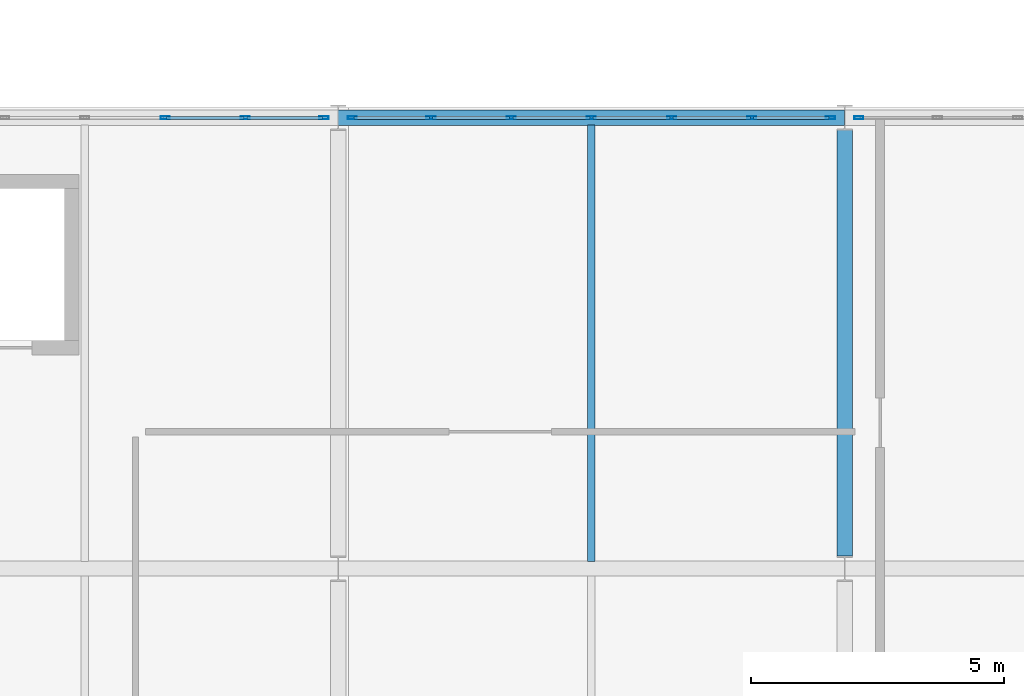
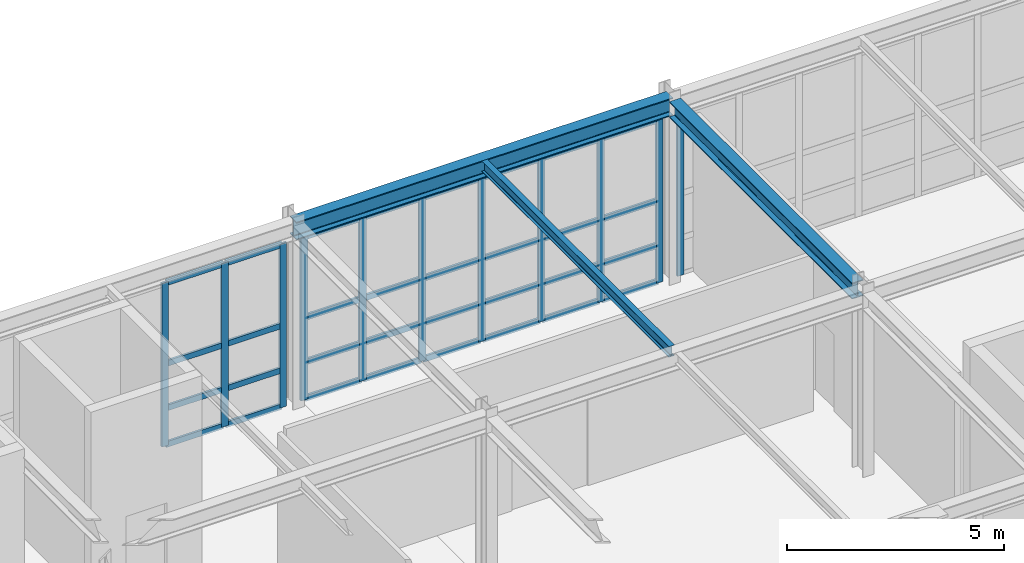
# One storey, part 105 of 210: 43 members, 3 beams, 3 elements without a shape of their own.
"""IFC4 building model written with IfcOpenShell, lengths in metres."""

from ifc_helpers import new_model, si_unit, direction, frame, origin, origin_2d, place, context, subcontext, project, spatial, hollow_rectangle, i_section, extrude, material, material_profile, profile_set, type_object, element, aggregate, save


model = new_model("IFC4")

# Units and contexts
model_context = context("Model", 3, precision=1e-05, world=origin(), true_north=direction((0.0, 1.0)))
body_context = subcontext(model_context, "Body", "Model", "MODEL_VIEW")
ifc_project = project(units=[si_unit("LENGTHUNIT", "METRE"), si_unit("AREAUNIT", "SQUARE_METRE"), si_unit("VOLUMEUNIT", "CUBIC_METRE"), si_unit("PLANEANGLEUNIT", "RADIAN"), si_unit("MASSUNIT", "GRAM", prefix="KILO")], contexts=[model_context])

# Site, building, storey
site_placement = place(None, origin())
site = spatial("IfcSite", under=ifc_project, at=site_placement, CompositionType="ELEMENT")
building_placement = place(site_placement, origin())
building = spatial("IfcBuilding", under=site, at=building_placement, Name="Kaldris Quays Convention Centre", CompositionType="ELEMENT")
storey_placement = place(building_placement, frame((0.0, 0.0, 6.0)))
storey = spatial("IfcBuildingStorey", under=building, at=storey_placement, Name="L01", CompositionType="ELEMENT", Elevation=6.0)

# Curtain wall, members
ifc_material_1 = material(Name="Anodized aluminium AW-6060 and triple glazing", Category="aluminium")
curtain_wall_type = type_object("IfcCurtainWallType", Name="UNITISED CURTAIN WALL CW02", PredefinedType="NOTDEFINED", material=ifc_material_1)
curtain_wall_1_placement = place(storey_placement, origin())
curtain_wall_1 = element("IfcCurtainWall", 1, at=curtain_wall_1_placement, inside=storey, type_object=curtain_wall_type, Name="L01 Unitised Curtain Wall CW02 190", PredefinedType="NOTDEFINED")
ifc_material_2 = material(Name="Anodized aluminium AW-6060", Category="aluminium")
ifc_material_profile_1 = material_profile(ifc_material_2, hollow_rectangle(XDim=0.06005859375, YDim=0.179931640625, WallThickness=0.0048828125, at=origin_2d()), Name="RHS 180x60x5")
ifc_profile_set_1 = profile_set([ifc_material_profile_1], Name="Anodized aluminium AW-6060")
member_type_1 = type_object("IfcMemberType", Name="CURTAIN MULLION CWM2", PredefinedType="MULLION", material=ifc_profile_set_1)
member_1_placement = place(storey_placement, frame((180.583251953125, 37.39990234375, 0.0), z_axis=(0.0, 0.0, 1.0), x_axis=(0.0, 1.0, 0.0)))
member_1 = element("IfcMember", 2, at=member_1_placement, type_object=member_type_1, Name="CW02 mullion 5", PredefinedType="MULLION", context=body_context, shape_type="SweptSolid", body=[
    extrude(hollow_rectangle(XDim=0.06005859375, YDim=0.179931640625, WallThickness=0.0048828125, at=origin_2d()), origin(), (0.0, 0.0, 1.0), 4.60009765625),
])
member_2_placement = place(storey_placement, frame((182.166748046875, 37.39990234375, 0.0), z_axis=(0.0, 0.0, 1.0), x_axis=(0.0, 1.0, 0.0)))
member_2 = element("IfcMember", 3, at=member_2_placement, type_object=member_type_1, Name="CW02 mullion 6", PredefinedType="MULLION", context=body_context, shape_type="SweptSolid", body=[
    extrude(hollow_rectangle(XDim=0.06005859375, YDim=0.179931640625, WallThickness=0.0048828125, at=origin_2d()), origin(), (0.0, 0.0, 1.0), 4.60009765625),
])
member_3_placement = place(storey_placement, frame((183.719970703125, 37.39990234375, 0.0), z_axis=(0.0, 0.0, 1.0), x_axis=(0.0, 1.0, 0.0)))
member_3 = element("IfcMember", 4, at=member_3_placement, type_object=member_type_1, Name="CW02 mullion 7", PredefinedType="MULLION", context=body_context, shape_type="SweptSolid", body=[
    extrude(hollow_rectangle(XDim=0.06005859375, YDim=0.179931640625, WallThickness=0.0048828125, at=origin_2d()), origin(), (0.0, 0.0, 1.0), 4.60009765625),
])

curtain_wall_2_placement = place(storey_placement, origin())
curtain_wall_2 = element("IfcCurtainWall", 5, at=curtain_wall_2_placement, inside=storey, type_object=curtain_wall_type, Name="L01 Unitised Curtain Wall CW02 192", PredefinedType="NOTDEFINED")
member_4_placement = place(storey_placement, frame((184.280029296875, 37.39990234375, 0.0), z_axis=(0.0, 0.0, 1.0), x_axis=(0.0, 1.0, 0.0)))
member_4 = element("IfcMember", 6, at=member_4_placement, type_object=member_type_1, Name="CW02 mullion 1", PredefinedType="MULLION", context=body_context, shape_type="SweptSolid", body=[
    extrude(hollow_rectangle(XDim=0.06005859375, YDim=0.179931640625, WallThickness=0.0048828125, at=origin_2d()), origin(), (0.0, 0.0, 1.0), 4.60009765625),
])
member_5_placement = place(storey_placement, frame((185.833251953125, 37.39990234375, 0.0), z_axis=(0.0, 0.0, 1.0), x_axis=(0.0, 1.0, 0.0)))
member_5 = element("IfcMember", 7, at=member_5_placement, type_object=member_type_1, Name="CW02 mullion 2", PredefinedType="MULLION", context=body_context, shape_type="SweptSolid", body=[
    extrude(hollow_rectangle(XDim=0.06005859375, YDim=0.179931640625, WallThickness=0.0048828125, at=origin_2d()), origin(), (0.0, 0.0, 1.0), 4.60009765625),
])
member_6_placement = place(storey_placement, frame((187.416748046875, 37.39990234375, 0.0), z_axis=(0.0, 0.0, 1.0), x_axis=(0.0, 1.0, 0.0)))
member_6 = element("IfcMember", 8, at=member_6_placement, type_object=member_type_1, Name="CW02 mullion 3", PredefinedType="MULLION", context=body_context, shape_type="SweptSolid", body=[
    extrude(hollow_rectangle(XDim=0.06005859375, YDim=0.179931640625, WallThickness=0.0048828125, at=origin_2d()), origin(), (0.0, 0.0, 1.0), 4.60009765625),
])
member_7_placement = place(storey_placement, frame((189.0, 37.39990234375, 0.0), z_axis=(0.0, 0.0, 1.0), x_axis=(0.0, 1.0, 0.0)))
member_7 = element("IfcMember", 9, at=member_7_placement, type_object=member_type_1, Name="CW02 mullion 4", PredefinedType="MULLION", context=body_context, shape_type="SweptSolid", body=[
    extrude(hollow_rectangle(XDim=0.06005859375, YDim=0.179931640625, WallThickness=0.0048828125, at=origin_2d()), origin(), (0.0, 0.0, 1.0), 4.60009765625),
])
member_8_placement = place(storey_placement, frame((190.583251953125, 37.39990234375, 0.0), z_axis=(0.0, 0.0, 1.0), x_axis=(0.0, 1.0, 0.0)))
member_8 = element("IfcMember", 10, at=member_8_placement, type_object=member_type_1, Name="CW02 mullion 5", PredefinedType="MULLION", context=body_context, shape_type="SweptSolid", body=[
    extrude(hollow_rectangle(XDim=0.06005859375, YDim=0.179931640625, WallThickness=0.0048828125, at=origin_2d()), origin(), (0.0, 0.0, 1.0), 4.60009765625),
])
member_9_placement = place(storey_placement, frame((192.166748046875, 37.39990234375, 0.0), z_axis=(0.0, 0.0, 1.0), x_axis=(0.0, 1.0, 0.0)))
member_9 = element("IfcMember", 11, at=member_9_placement, type_object=member_type_1, Name="CW02 mullion 6", PredefinedType="MULLION", context=body_context, shape_type="SweptSolid", body=[
    extrude(hollow_rectangle(XDim=0.06005859375, YDim=0.179931640625, WallThickness=0.0048828125, at=origin_2d()), origin(), (0.0, 0.0, 1.0), 4.60009765625),
])
member_10_placement = place(storey_placement, frame((193.719970703125, 37.39990234375, 0.0), z_axis=(0.0, 0.0, 1.0), x_axis=(0.0, 1.0, 0.0)))
member_10 = element("IfcMember", 12, at=member_10_placement, type_object=member_type_1, Name="CW02 mullion 7", PredefinedType="MULLION", context=body_context, shape_type="SweptSolid", body=[
    extrude(hollow_rectangle(XDim=0.06005859375, YDim=0.179931640625, WallThickness=0.0048828125, at=origin_2d()), origin(), (0.0, 0.0, 1.0), 4.60009765625),
])

# Curtain wall, member
curtain_wall_3_placement = place(storey_placement, origin())
curtain_wall_3 = element("IfcCurtainWall", 13, at=curtain_wall_3_placement, inside=storey, type_object=curtain_wall_type, Name="L01 Unitised Curtain Wall CW02 194", PredefinedType="NOTDEFINED")
member_11_placement = place(storey_placement, frame((194.280029296875, 37.39990234375, 0.0), z_axis=(0.0, 0.0, 1.0), x_axis=(0.0, 1.0, 0.0)))
member_11 = element("IfcMember", 14, at=member_11_placement, type_object=member_type_1, Name="CW02 mullion 1", PredefinedType="MULLION", context=body_context, shape_type="SweptSolid", body=[
    extrude(hollow_rectangle(XDim=0.06005859375, YDim=0.179931640625, WallThickness=0.0048828125, at=origin_2d()), origin(), (0.0, 0.0, 1.0), 4.60009765625),
])
aggregate(curtain_wall_3, [member_11])

# Member
ifc_material_profile_2 = material_profile(ifc_material_2, hollow_rectangle(XDim=0.06005859375, YDim=0.159912109375, WallThickness=0.00390625, at=origin_2d()), Name="RHS 160x60x4")
ifc_profile_set_2 = profile_set([ifc_material_profile_2], Name="Anodized aluminium AW-6060")
member_type_2 = type_object("IfcMemberType", Name="CURTAIN TRANSOM CWT2", PredefinedType="USERDEFINED", material=ifc_profile_set_2)
member_12_placement = place(storey_placement, frame((180.61328125, 37.39990234375, 0.030029296875), z_axis=(1.0, 0.0, 0.0), x_axis=(0.0, 1.0, 0.0)))
member_12 = element("IfcMember", 15, at=member_12_placement, type_object=member_type_2, Name="CW02 transom 5.1", ObjectType="TRANSOM", PredefinedType="USERDEFINED", context=body_context, shape_type="SweptSolid", body=[
    extrude(hollow_rectangle(XDim=0.06005859375, YDim=0.159912109375, WallThickness=0.00390625, at=origin_2d()), origin(), (0.0, 0.0, 1.0), 1.5234375),
])

member_13_placement = place(storey_placement, frame((180.61328125, 37.39990234375, 1.050048828125), z_axis=(1.0, 0.0, 0.0), x_axis=(0.0, 1.0, 0.0)))
member_13 = element("IfcMember", 16, at=member_13_placement, type_object=member_type_2, Name="CW02 transom 5.2", ObjectType="TRANSOM", PredefinedType="USERDEFINED", context=body_context, shape_type="SweptSolid", body=[
    extrude(hollow_rectangle(XDim=0.06005859375, YDim=0.159912109375, WallThickness=0.00390625, at=origin_2d()), origin(), (0.0, 0.0, 1.0), 1.5234375),
])

member_14_placement = place(storey_placement, frame((180.61328125, 37.39990234375, 2.300048828125), z_axis=(1.0, 0.0, 0.0), x_axis=(0.0, 1.0, 0.0)))
member_14 = element("IfcMember", 17, at=member_14_placement, type_object=member_type_2, Name="CW02 transom 5.3", ObjectType="TRANSOM", PredefinedType="USERDEFINED", context=body_context, shape_type="SweptSolid", body=[
    extrude(hollow_rectangle(XDim=0.06005859375, YDim=0.159912109375, WallThickness=0.00390625, at=origin_2d()), origin(), (0.0, 0.0, 1.0), 1.5234375),
])

member_15_placement = place(storey_placement, frame((180.61328125, 37.39990234375, 4.570068359375), z_axis=(1.0, 0.0, 0.0), x_axis=(0.0, 1.0, 0.0)))
member_15 = element("IfcMember", 18, at=member_15_placement, type_object=member_type_2, Name="CW02 transom 5.4", ObjectType="TRANSOM", PredefinedType="USERDEFINED", context=body_context, shape_type="SweptSolid", body=[
    extrude(hollow_rectangle(XDim=0.06005859375, YDim=0.159912109375, WallThickness=0.00390625, at=origin_2d()), origin(), (0.0, 0.0, 1.0), 1.5234375),
])

member_16_placement = place(storey_placement, frame((182.19677734375, 37.39990234375, 0.030029296875), z_axis=(1.0, 0.0, 0.0), x_axis=(0.0, 1.0, 0.0)))
member_16 = element("IfcMember", 19, at=member_16_placement, type_object=member_type_2, Name="CW02 transom 6.1", ObjectType="TRANSOM", PredefinedType="USERDEFINED", context=body_context, shape_type="SweptSolid", body=[
    extrude(hollow_rectangle(XDim=0.06005859375, YDim=0.159912109375, WallThickness=0.00390625, at=origin_2d()), origin(), (0.0, 0.0, 1.0), 1.4931640625),
])

member_17_placement = place(storey_placement, frame((182.19677734375, 37.39990234375, 1.050048828125), z_axis=(1.0, 0.0, 0.0), x_axis=(0.0, 1.0, 0.0)))
member_17 = element("IfcMember", 20, at=member_17_placement, type_object=member_type_2, Name="CW02 transom 6.2", ObjectType="TRANSOM", PredefinedType="USERDEFINED", context=body_context, shape_type="SweptSolid", body=[
    extrude(hollow_rectangle(XDim=0.06005859375, YDim=0.159912109375, WallThickness=0.00390625, at=origin_2d()), origin(), (0.0, 0.0, 1.0), 1.4931640625),
])

member_18_placement = place(storey_placement, frame((182.19677734375, 37.39990234375, 2.300048828125), z_axis=(1.0, 0.0, 0.0), x_axis=(0.0, 1.0, 0.0)))
member_18 = element("IfcMember", 21, at=member_18_placement, type_object=member_type_2, Name="CW02 transom 6.3", ObjectType="TRANSOM", PredefinedType="USERDEFINED", context=body_context, shape_type="SweptSolid", body=[
    extrude(hollow_rectangle(XDim=0.06005859375, YDim=0.159912109375, WallThickness=0.00390625, at=origin_2d()), origin(), (0.0, 0.0, 1.0), 1.4931640625),
])

member_19_placement = place(storey_placement, frame((182.19677734375, 37.39990234375, 4.570068359375), z_axis=(1.0, 0.0, 0.0), x_axis=(0.0, 1.0, 0.0)))
member_19 = element("IfcMember", 22, at=member_19_placement, type_object=member_type_2, Name="CW02 transom 6.4", ObjectType="TRANSOM", PredefinedType="USERDEFINED", context=body_context, shape_type="SweptSolid", body=[
    extrude(hollow_rectangle(XDim=0.06005859375, YDim=0.159912109375, WallThickness=0.00390625, at=origin_2d()), origin(), (0.0, 0.0, 1.0), 1.4931640625),
])

aggregate(curtain_wall_1, [member_1, member_2, member_3, member_12, member_13, member_14, member_15, member_16, member_17, member_18, member_19])

member_20_placement = place(storey_placement, frame((184.31005859375, 37.39990234375, 0.030029296875), z_axis=(1.0, 0.0, 0.0), x_axis=(0.0, 1.0, 0.0)))
member_20 = element("IfcMember", 23, at=member_20_placement, type_object=member_type_2, Name="CW02 transom 1.1", ObjectType="TRANSOM", PredefinedType="USERDEFINED", context=body_context, shape_type="SweptSolid", body=[
    extrude(hollow_rectangle(XDim=0.06005859375, YDim=0.159912109375, WallThickness=0.00390625, at=origin_2d()), origin(), (0.0, 0.0, 1.0), 1.4931640625),
])

member_21_placement = place(storey_placement, frame((184.31005859375, 37.39990234375, 1.050048828125), z_axis=(1.0, 0.0, 0.0), x_axis=(0.0, 1.0, 0.0)))
member_21 = element("IfcMember", 24, at=member_21_placement, type_object=member_type_2, Name="CW02 transom 1.2", ObjectType="TRANSOM", PredefinedType="USERDEFINED", context=body_context, shape_type="SweptSolid", body=[
    extrude(hollow_rectangle(XDim=0.06005859375, YDim=0.159912109375, WallThickness=0.00390625, at=origin_2d()), origin(), (0.0, 0.0, 1.0), 1.4931640625),
])

member_22_placement = place(storey_placement, frame((184.31005859375, 37.39990234375, 2.300048828125), z_axis=(1.0, 0.0, 0.0), x_axis=(0.0, 1.0, 0.0)))
member_22 = element("IfcMember", 25, at=member_22_placement, type_object=member_type_2, Name="CW02 transom 1.3", ObjectType="TRANSOM", PredefinedType="USERDEFINED", context=body_context, shape_type="SweptSolid", body=[
    extrude(hollow_rectangle(XDim=0.06005859375, YDim=0.159912109375, WallThickness=0.00390625, at=origin_2d()), origin(), (0.0, 0.0, 1.0), 1.4931640625),
])

member_23_placement = place(storey_placement, frame((184.31005859375, 37.39990234375, 4.570068359375), z_axis=(1.0, 0.0, 0.0), x_axis=(0.0, 1.0, 0.0)))
member_23 = element("IfcMember", 26, at=member_23_placement, type_object=member_type_2, Name="CW02 transom 1.4", ObjectType="TRANSOM", PredefinedType="USERDEFINED", context=body_context, shape_type="SweptSolid", body=[
    extrude(hollow_rectangle(XDim=0.06005859375, YDim=0.159912109375, WallThickness=0.00390625, at=origin_2d()), origin(), (0.0, 0.0, 1.0), 1.4931640625),
])

member_24_placement = place(storey_placement, frame((185.86328125, 37.39990234375, 0.030029296875), z_axis=(1.0, 0.0, 0.0), x_axis=(0.0, 1.0, 0.0)))
member_24 = element("IfcMember", 27, at=member_24_placement, type_object=member_type_2, Name="CW02 transom 2.1", ObjectType="TRANSOM", PredefinedType="USERDEFINED", context=body_context, shape_type="SweptSolid", body=[
    extrude(hollow_rectangle(XDim=0.06005859375, YDim=0.159912109375, WallThickness=0.00390625, at=origin_2d()), origin(), (0.0, 0.0, 1.0), 1.5234375),
])

member_25_placement = place(storey_placement, frame((185.86328125, 37.39990234375, 1.050048828125), z_axis=(1.0, 0.0, 0.0), x_axis=(0.0, 1.0, 0.0)))
member_25 = element("IfcMember", 28, at=member_25_placement, type_object=member_type_2, Name="CW02 transom 2.2", ObjectType="TRANSOM", PredefinedType="USERDEFINED", context=body_context, shape_type="SweptSolid", body=[
    extrude(hollow_rectangle(XDim=0.06005859375, YDim=0.159912109375, WallThickness=0.00390625, at=origin_2d()), origin(), (0.0, 0.0, 1.0), 1.5234375),
])

member_26_placement = place(storey_placement, frame((185.86328125, 37.39990234375, 2.300048828125), z_axis=(1.0, 0.0, 0.0), x_axis=(0.0, 1.0, 0.0)))
member_26 = element("IfcMember", 29, at=member_26_placement, type_object=member_type_2, Name="CW02 transom 2.3", ObjectType="TRANSOM", PredefinedType="USERDEFINED", context=body_context, shape_type="SweptSolid", body=[
    extrude(hollow_rectangle(XDim=0.06005859375, YDim=0.159912109375, WallThickness=0.00390625, at=origin_2d()), origin(), (0.0, 0.0, 1.0), 1.5234375),
])

member_27_placement = place(storey_placement, frame((185.86328125, 37.39990234375, 4.570068359375), z_axis=(1.0, 0.0, 0.0), x_axis=(0.0, 1.0, 0.0)))
member_27 = element("IfcMember", 30, at=member_27_placement, type_object=member_type_2, Name="CW02 transom 2.4", ObjectType="TRANSOM", PredefinedType="USERDEFINED", context=body_context, shape_type="SweptSolid", body=[
    extrude(hollow_rectangle(XDim=0.06005859375, YDim=0.159912109375, WallThickness=0.00390625, at=origin_2d()), origin(), (0.0, 0.0, 1.0), 1.5234375),
])

member_28_placement = place(storey_placement, frame((187.44677734375, 37.39990234375, 0.030029296875), z_axis=(1.0, 0.0, 0.0), x_axis=(0.0, 1.0, 0.0)))
member_28 = element("IfcMember", 31, at=member_28_placement, type_object=member_type_2, Name="CW02 transom 3.1", ObjectType="TRANSOM", PredefinedType="USERDEFINED", context=body_context, shape_type="SweptSolid", body=[
    extrude(hollow_rectangle(XDim=0.06005859375, YDim=0.159912109375, WallThickness=0.00390625, at=origin_2d()), origin(), (0.0, 0.0, 1.0), 1.523193359375),
])

member_29_placement = place(storey_placement, frame((187.44677734375, 37.39990234375, 1.050048828125), z_axis=(1.0, 0.0, 0.0), x_axis=(0.0, 1.0, 0.0)))
member_29 = element("IfcMember", 32, at=member_29_placement, type_object=member_type_2, Name="CW02 transom 3.2", ObjectType="TRANSOM", PredefinedType="USERDEFINED", context=body_context, shape_type="SweptSolid", body=[
    extrude(hollow_rectangle(XDim=0.06005859375, YDim=0.159912109375, WallThickness=0.00390625, at=origin_2d()), origin(), (0.0, 0.0, 1.0), 1.523193359375),
])

member_30_placement = place(storey_placement, frame((187.44677734375, 37.39990234375, 2.300048828125), z_axis=(1.0, 0.0, 0.0), x_axis=(0.0, 1.0, 0.0)))
member_30 = element("IfcMember", 33, at=member_30_placement, type_object=member_type_2, Name="CW02 transom 3.3", ObjectType="TRANSOM", PredefinedType="USERDEFINED", context=body_context, shape_type="SweptSolid", body=[
    extrude(hollow_rectangle(XDim=0.06005859375, YDim=0.159912109375, WallThickness=0.00390625, at=origin_2d()), origin(), (0.0, 0.0, 1.0), 1.523193359375),
])

member_31_placement = place(storey_placement, frame((187.44677734375, 37.39990234375, 4.570068359375), z_axis=(1.0, 0.0, 0.0), x_axis=(0.0, 1.0, 0.0)))
member_31 = element("IfcMember", 34, at=member_31_placement, type_object=member_type_2, Name="CW02 transom 3.4", ObjectType="TRANSOM", PredefinedType="USERDEFINED", context=body_context, shape_type="SweptSolid", body=[
    extrude(hollow_rectangle(XDim=0.06005859375, YDim=0.159912109375, WallThickness=0.00390625, at=origin_2d()), origin(), (0.0, 0.0, 1.0), 1.523193359375),
])

member_32_placement = place(storey_placement, frame((189.030029296875, 37.39990234375, 0.030029296875), z_axis=(1.0, 0.0, 0.0), x_axis=(0.0, 1.0, 0.0)))
member_32 = element("IfcMember", 35, at=member_32_placement, type_object=member_type_2, Name="CW02 transom 4.1", ObjectType="TRANSOM", PredefinedType="USERDEFINED", context=body_context, shape_type="SweptSolid", body=[
    extrude(hollow_rectangle(XDim=0.06005859375, YDim=0.159912109375, WallThickness=0.00390625, at=origin_2d()), origin(), (0.0, 0.0, 1.0), 1.523193359375),
])

member_33_placement = place(storey_placement, frame((189.030029296875, 37.39990234375, 1.050048828125), z_axis=(1.0, 0.0, 0.0), x_axis=(0.0, 1.0, 0.0)))
member_33 = element("IfcMember", 36, at=member_33_placement, type_object=member_type_2, Name="CW02 transom 4.2", ObjectType="TRANSOM", PredefinedType="USERDEFINED", context=body_context, shape_type="SweptSolid", body=[
    extrude(hollow_rectangle(XDim=0.06005859375, YDim=0.159912109375, WallThickness=0.00390625, at=origin_2d()), origin(), (0.0, 0.0, 1.0), 1.523193359375),
])

member_34_placement = place(storey_placement, frame((189.030029296875, 37.39990234375, 2.300048828125), z_axis=(1.0, 0.0, 0.0), x_axis=(0.0, 1.0, 0.0)))
member_34 = element("IfcMember", 37, at=member_34_placement, type_object=member_type_2, Name="CW02 transom 4.3", ObjectType="TRANSOM", PredefinedType="USERDEFINED", context=body_context, shape_type="SweptSolid", body=[
    extrude(hollow_rectangle(XDim=0.06005859375, YDim=0.159912109375, WallThickness=0.00390625, at=origin_2d()), origin(), (0.0, 0.0, 1.0), 1.523193359375),
])

member_35_placement = place(storey_placement, frame((189.030029296875, 37.39990234375, 4.570068359375), z_axis=(1.0, 0.0, 0.0), x_axis=(0.0, 1.0, 0.0)))
member_35 = element("IfcMember", 38, at=member_35_placement, type_object=member_type_2, Name="CW02 transom 4.4", ObjectType="TRANSOM", PredefinedType="USERDEFINED", context=body_context, shape_type="SweptSolid", body=[
    extrude(hollow_rectangle(XDim=0.06005859375, YDim=0.159912109375, WallThickness=0.00390625, at=origin_2d()), origin(), (0.0, 0.0, 1.0), 1.523193359375),
])

member_36_placement = place(storey_placement, frame((190.61328125, 37.39990234375, 0.030029296875), z_axis=(1.0, 0.0, 0.0), x_axis=(0.0, 1.0, 0.0)))
member_36 = element("IfcMember", 39, at=member_36_placement, type_object=member_type_2, Name="CW02 transom 5.1", ObjectType="TRANSOM", PredefinedType="USERDEFINED", context=body_context, shape_type="SweptSolid", body=[
    extrude(hollow_rectangle(XDim=0.06005859375, YDim=0.159912109375, WallThickness=0.00390625, at=origin_2d()), origin(), (0.0, 0.0, 1.0), 1.5234375),
])

member_37_placement = place(storey_placement, frame((190.61328125, 37.39990234375, 1.050048828125), z_axis=(1.0, 0.0, 0.0), x_axis=(0.0, 1.0, 0.0)))
member_37 = element("IfcMember", 40, at=member_37_placement, type_object=member_type_2, Name="CW02 transom 5.2", ObjectType="TRANSOM", PredefinedType="USERDEFINED", context=body_context, shape_type="SweptSolid", body=[
    extrude(hollow_rectangle(XDim=0.06005859375, YDim=0.159912109375, WallThickness=0.00390625, at=origin_2d()), origin(), (0.0, 0.0, 1.0), 1.5234375),
])

member_38_placement = place(storey_placement, frame((190.61328125, 37.39990234375, 2.300048828125), z_axis=(1.0, 0.0, 0.0), x_axis=(0.0, 1.0, 0.0)))
member_38 = element("IfcMember", 41, at=member_38_placement, type_object=member_type_2, Name="CW02 transom 5.3", ObjectType="TRANSOM", PredefinedType="USERDEFINED", context=body_context, shape_type="SweptSolid", body=[
    extrude(hollow_rectangle(XDim=0.06005859375, YDim=0.159912109375, WallThickness=0.00390625, at=origin_2d()), origin(), (0.0, 0.0, 1.0), 1.5234375),
])

member_39_placement = place(storey_placement, frame((190.61328125, 37.39990234375, 4.570068359375), z_axis=(1.0, 0.0, 0.0), x_axis=(0.0, 1.0, 0.0)))
member_39 = element("IfcMember", 42, at=member_39_placement, type_object=member_type_2, Name="CW02 transom 5.4", ObjectType="TRANSOM", PredefinedType="USERDEFINED", context=body_context, shape_type="SweptSolid", body=[
    extrude(hollow_rectangle(XDim=0.06005859375, YDim=0.159912109375, WallThickness=0.00390625, at=origin_2d()), origin(), (0.0, 0.0, 1.0), 1.5234375),
])

member_40_placement = place(storey_placement, frame((192.19677734375, 37.39990234375, 0.030029296875), z_axis=(1.0, 0.0, 0.0), x_axis=(0.0, 1.0, 0.0)))
member_40 = element("IfcMember", 43, at=member_40_placement, type_object=member_type_2, Name="CW02 transom 6.1", ObjectType="TRANSOM", PredefinedType="USERDEFINED", context=body_context, shape_type="SweptSolid", body=[
    extrude(hollow_rectangle(XDim=0.06005859375, YDim=0.159912109375, WallThickness=0.00390625, at=origin_2d()), origin(), (0.0, 0.0, 1.0), 1.4931640625),
])

member_41_placement = place(storey_placement, frame((192.19677734375, 37.39990234375, 1.050048828125), z_axis=(1.0, 0.0, 0.0), x_axis=(0.0, 1.0, 0.0)))
member_41 = element("IfcMember", 44, at=member_41_placement, type_object=member_type_2, Name="CW02 transom 6.2", ObjectType="TRANSOM", PredefinedType="USERDEFINED", context=body_context, shape_type="SweptSolid", body=[
    extrude(hollow_rectangle(XDim=0.06005859375, YDim=0.159912109375, WallThickness=0.00390625, at=origin_2d()), origin(), (0.0, 0.0, 1.0), 1.4931640625),
])

member_42_placement = place(storey_placement, frame((192.19677734375, 37.39990234375, 2.300048828125), z_axis=(1.0, 0.0, 0.0), x_axis=(0.0, 1.0, 0.0)))
member_42 = element("IfcMember", 45, at=member_42_placement, type_object=member_type_2, Name="CW02 transom 6.3", ObjectType="TRANSOM", PredefinedType="USERDEFINED", context=body_context, shape_type="SweptSolid", body=[
    extrude(hollow_rectangle(XDim=0.06005859375, YDim=0.159912109375, WallThickness=0.00390625, at=origin_2d()), origin(), (0.0, 0.0, 1.0), 1.4931640625),
])

member_43_placement = place(storey_placement, frame((192.19677734375, 37.39990234375, 4.570068359375), z_axis=(1.0, 0.0, 0.0), x_axis=(0.0, 1.0, 0.0)))
member_43 = element("IfcMember", 46, at=member_43_placement, type_object=member_type_2, Name="CW02 transom 6.4", ObjectType="TRANSOM", PredefinedType="USERDEFINED", context=body_context, shape_type="SweptSolid", body=[
    extrude(hollow_rectangle(XDim=0.06005859375, YDim=0.159912109375, WallThickness=0.00390625, at=origin_2d()), origin(), (0.0, 0.0, 1.0), 1.4931640625),
])

aggregate(curtain_wall_2, [member_4, member_5, member_6, member_7, member_8, member_9, member_10, member_20, member_21, member_22, member_23, member_24, member_25, member_26, member_27, member_28, member_29, member_30, member_31, member_32, member_33, member_34, member_35, member_36, member_37, member_38, member_39, member_40, member_41, member_42, member_43])

# Beams
ifc_material_3 = material(Name="Steel S355J2", Category="steel")
ifc_material_profile_3 = material_profile(ifc_material_3, i_section(OverallWidth=0.300048828125, OverallDepth=0.5, WebThickness=0.014404296875, FlangeThickness=0.028076171875, FilletRadius=0.027099609375, at=origin_2d()), Name="HEB 500")
ifc_profile_set_3 = profile_set([ifc_material_profile_3], Name="Steel S355J2")
beam_type_1 = type_object("IfcBeamType", Name="STRUCTURAL BEAM BM06", PredefinedType="BEAM", material=ifc_profile_set_3)
beam_1_placement = place(storey_placement, frame((184.001220703125, 37.39990234375, 4.9130859375), z_axis=(1.0, 0.0, 0.0), x_axis=(0.0, 1.0, 0.0)))
element("IfcBeam", 47, at=beam_1_placement, inside=storey, type_object=beam_type_1, Name="L01 Girder BM06 14", PredefinedType="BEAM", context=body_context, shape_type="SweptSolid", body=[
    extrude(i_section(OverallWidth=0.300048828125, OverallDepth=0.5, WebThickness=0.014404296875, FlangeThickness=0.028076171875, FilletRadius=0.027099609375, at=origin_2d()), origin(), (0.0, 0.0, 1.0), 9.99755859375),
])
ifc_material_profile_4 = material_profile(ifc_material_3, i_section(OverallWidth=0.300048828125, OverallDepth=0.449951171875, WebThickness=0.013916015625, FlangeThickness=0.02587890625, FilletRadius=0.027099609375, at=origin_2d()), Name="HEB 450")
ifc_profile_set_4 = profile_set([ifc_material_profile_4], Name="Steel S355J2")
beam_type_2 = type_object("IfcBeamType", Name="STRUCTURAL BEAM BM07", PredefinedType="BEAM", material=ifc_profile_set_4)
beam_2_placement = place(storey_placement, frame((194.0, 28.743896484375, 4.93798828125), z_axis=(0.0, 1.0, 0.0), x_axis=(-1.0, 0.0, 0.0)))
element("IfcBeam", 48, at=beam_2_placement, inside=storey, type_object=beam_type_2, Name="L01 Girder BM07 25", PredefinedType="BEAM", context=body_context, shape_type="SweptSolid", body=[
    extrude(i_section(OverallWidth=0.300048828125, OverallDepth=0.449951171875, WebThickness=0.013916015625, FlangeThickness=0.02587890625, FilletRadius=0.027099609375, at=origin_2d()), origin(), (0.0, 0.0, 1.0), 8.412109375),
])
ifc_material_profile_5 = material_profile(ifc_material_3, i_section(OverallWidth=0.14990234375, OverallDepth=0.300048828125, WebThickness=0.007080078125, FlangeThickness=0.0107421875, FilletRadius=0.014892578125, at=origin_2d()), Name="IPE 300")
ifc_profile_set_5 = profile_set([ifc_material_profile_5], Name="Steel S355J2")
beam_type_3 = type_object("IfcBeamType", Name="STRUCTURAL BEAM JT04", PredefinedType="JOIST", material=ifc_profile_set_5)
beam_3_placement = place(storey_placement, frame((189.0, 28.64404296875, 5.012939453125), z_axis=(0.0, 1.0, 0.0), x_axis=(-1.0, 0.0, 0.0)))
element("IfcBeam", 49, at=beam_3_placement, inside=storey, type_object=beam_type_3, Name="L01 Secondary Joist JT04 7", PredefinedType="JOIST", context=body_context, shape_type="SweptSolid", body=[
    extrude(i_section(OverallWidth=0.14990234375, OverallDepth=0.300048828125, WebThickness=0.007080078125, FlangeThickness=0.0107421875, FilletRadius=0.014892578125, at=origin_2d()), origin(), (0.0, 0.0, 1.0), 8.612060546875),
])

save(model, "model.ifc")
